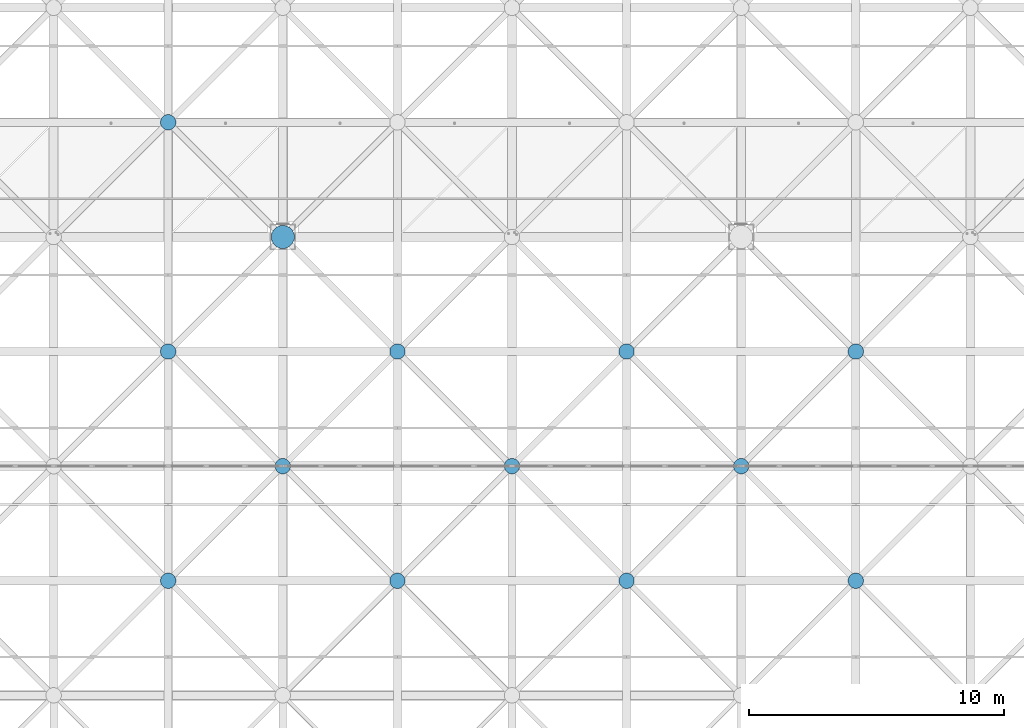
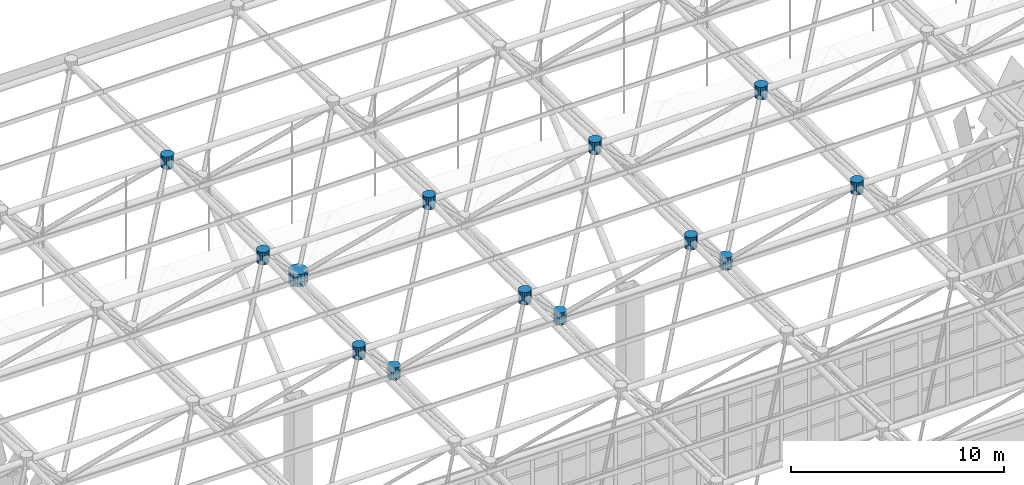
# One storey, part 325 of 437: 13 discrete accessories.
"""IFC4 building model written with IfcOpenShell, lengths in metres."""

import ifcopenshell
import ifcopenshell.guid

model = None  # the IFC model being written
_history = None  # IfcOwnerHistory: only IFC2X3 demands one
_inside = {}  # id of a spatial element -> (the spatial element, [elements in it])
_under = {}  # id of a project, library or spatial element -> (it, [spatial elements below it])
_declared = {}  # id of a project -> (the project, [libraries it declares])
_typed = {}  # id of a type object -> (the type object, [elements of that type])
_made_of = {}  # id of a material, layer set ... -> (it, [elements and type objects made of it])


def new_model(schema):
    """Start an empty IFC model of exactly this schema.

    Asked for "IFC4X3", IfcOpenShell would pick the latest addendum, in which some entities
    have other attributes; the version numbers below select the first issue.
    IFC2X3 requires an IfcOwnerHistory on every rooted entity: one is made here for all.
    """
    global model, _history
    if schema == "IFC4X3":
        model = ifcopenshell.file(schema_version=(4, 3, 0, 0))
    else:
        model = ifcopenshell.file(schema=schema)
    _inside.clear()
    _under.clear()
    _declared.clear()
    _typed.clear()
    _made_of.clear()
    _history = None
    if model.schema == "IFC2X3":
        org = make("IfcOrganization", Name="unknown")
        user = make(
            "IfcPersonAndOrganization",
            ThePerson=make("IfcPerson", FamilyName="unknown"),
            TheOrganization=org,
        )
        app = make(
            "IfcApplication",
            ApplicationDeveloper=org,
            Version="unknown",
            ApplicationFullName="unknown",
            ApplicationIdentifier="unknown",
        )
        _history = make(
            "IfcOwnerHistory",
            OwningUser=user,
            OwningApplication=app,
            ChangeAction="ADDED",
            CreationDate=0,
        )
    return model


def make(cls, **values):
    """One entity of the class cls with the attributes given. An attribute that is None is left unset."""
    return model.create_entity(
        cls, **{name: value for name, value in values.items() if value is not None}
    )


def rooted(cls, **values):
    """An entity with a GlobalId (a new one), such as an element, a storey or a relation."""
    return make(cls, GlobalId=ifcopenshell.guid.new(), OwnerHistory=_history, **values)


def si_unit(unit_type, name, prefix=None):
    """IfcSIUnit, for example si_unit("LENGTHUNIT", "METRE", prefix="MILLI")."""
    return make("IfcSIUnit", UnitType=unit_type, Prefix=prefix, Name=name)


def assignment(units):
    """IfcUnitAssignment: the units of a project."""
    return None if units is None else make("IfcUnitAssignment", Units=units)


def point(xyz):
    """IfcCartesianPoint."""
    return None if xyz is None else make("IfcCartesianPoint", Coordinates=xyz)


def direction(xyz):
    """IfcDirection."""
    return None if xyz is None else make("IfcDirection", DirectionRatios=xyz)


def frame(location, z_axis=None, x_axis=None):
    """IfcAxis2Placement3D, a coordinate frame: its origin and axes. An axis left out is left unset."""
    return make(
        "IfcAxis2Placement3D",
        Location=point(location),
        Axis=direction(z_axis),
        RefDirection=direction(x_axis),
    )


def origin():
    """The frame at (0, 0, 0) with its axes left unset."""
    return frame((0.0, 0.0, 0.0))


def place(relative_to, where):
    """IfcLocalPlacement: puts the frame where relative to a parent placement (None: the world)."""
    return make(
        "IfcLocalPlacement", PlacementRelTo=relative_to, RelativePlacement=where
    )


def context(
    kind, dimensions, precision=None, world=None, true_north=None, identifier=None
):
    """IfcGeometricRepresentationContext, for example the 3D "Model" context."""
    return make(
        "IfcGeometricRepresentationContext",
        ContextIdentifier=identifier,
        ContextType=kind,
        CoordinateSpaceDimension=dimensions,
        Precision=precision,
        WorldCoordinateSystem=world,
        TrueNorth=true_north,
    )


def subcontext(parent, identifier, kind, view, scale=None):
    """IfcGeometricRepresentationSubContext, for example "Body" below "Model"."""
    return make(
        "IfcGeometricRepresentationSubContext",
        ContextIdentifier=identifier,
        ContextType=kind,
        ParentContext=parent,
        TargetScale=scale,
        TargetView=view,
    )


def project(units=None, contexts=None):
    """IfcProject with its units and contexts."""
    return rooted(
        "IfcProject",
        Name="project",
        RepresentationContexts=contexts,
        UnitsInContext=assignment(units),
    )


def spatial(cls, under=None, at=None, **own):
    """A site, building, storey or space (cls), placed at a placement, below another one or the project."""
    s = rooted(cls, ObjectPlacement=at, **own)
    if under is not None:
        _under.setdefault(under.id(), (under, []))[1].append(s)
    return s


def polyline(points):
    """IfcPolyline through the points."""
    return make("IfcPolyline", Points=[point(p) for p in points])


def outline(outer, holes=None, kind="AREA"):
    """IfcArbitraryClosedProfileDef: a profile drawn as a closed curve; with holes, ...WithVoids."""
    if holes is None:
        return make("IfcArbitraryClosedProfileDef", ProfileType=kind, OuterCurve=outer)
    return make(
        "IfcArbitraryProfileDefWithVoids",
        ProfileType=kind,
        OuterCurve=outer,
        InnerCurves=holes,
    )


def extrude(swept, where, along, depth):
    """IfcExtrudedAreaSolid: the profile swept, set in the frame where, extruded along a direction by depth."""
    return make(
        "IfcExtrudedAreaSolid",
        SweptArea=swept,
        Position=where,
        ExtrudedDirection=direction(along),
        Depth=depth,
    )


def shape(context_of_items, identifier, shape_type, items):
    """IfcShapeRepresentation: the items that make up one representation, for example the "Body"."""
    return make(
        "IfcShapeRepresentation",
        ContextOfItems=context_of_items,
        RepresentationIdentifier=identifier,
        RepresentationType=shape_type,
        Items=items,
    )


def material(Name=None, Category=None):
    """IfcMaterial."""
    return make("IfcMaterial", Name=Name, Category=Category)


def made_of(thing, what):
    """Note that an element or type object is made of a material, layer set ...; save() writes the relation."""
    if what is not None:
        _made_of.setdefault(what.id(), (what, []))[1].append(thing)
    return thing


def type_object(cls, material=None, **own):
    """A type object (cls), such as IfcWallType, which elements share."""
    return made_of(rooted(cls, **own), material)


def element(
    cls,
    number,
    at=None,
    inside=None,
    cuts=None,
    type_object=None,
    material=None,
    context=None,
    identifier="Body",
    shape_type=None,
    held_by="IfcProductDefinitionShape",
    body=None,
    shapes=None,
    **own,
):
    """One element of the class cls, such as IfcWall. Its Tag is "e" and its number.

    at: its placement. inside: the storey or other place that contains it. cuts: it is an
    opening in that element (IfcRelVoidsElement). A single representation is given by context,
    identifier, shape_type and body (its items); several are given by shapes. held_by: the class
    of the entity that holds the representations. save() writes the other relations.
    """
    e = rooted(cls, Tag="e%d" % number, ObjectPlacement=at, **own)
    if body is not None:
        shapes = [shape(context, identifier, shape_type, body)]
    if shapes is not None:
        e.Representation = make(held_by, Representations=shapes)
    if inside is not None:
        _inside.setdefault(inside.id(), (inside, []))[1].append(e)
    if cuts is not None:
        rooted(
            "IfcRelVoidsElement", RelatingBuildingElement=cuts, RelatedOpeningElement=e
        )
    if type_object is not None:
        _typed.setdefault(type_object.id(), (type_object, []))[1].append(e)
    return made_of(e, material)


def aggregate(whole, parts):
    """IfcRelAggregates: a whole, such as a stair, and the parts it consists of."""
    return rooted("IfcRelAggregates", RelatingObject=whole, RelatedObjects=parts)


def save(model, path):
    """Write the relations noted so far, then the file.

    IfcRelAggregates (storeys below a building ...), IfcRelContainedInSpatialStructure (elements
    in a storey), IfcRelDefinesByType, IfcRelAssociatesMaterial and IfcRelDeclares: one each for
    every whole, place, type object, material and project.
    """
    for whole, parts in _under.values():
        aggregate(whole, parts)
    for where, things in _inside.values():
        rooted(
            "IfcRelContainedInSpatialStructure",
            RelatedElements=things,
            RelatingStructure=where,
        )
    for kind, things in _typed.values():
        rooted("IfcRelDefinesByType", RelatedObjects=things, RelatingType=kind)
    for what, things in _made_of.values():
        rooted("IfcRelAssociatesMaterial", RelatedObjects=things, RelatingMaterial=what)
    for by, libraries in _declared.values():
        rooted("IfcRelDeclares", RelatingContext=by, RelatedDefinitions=libraries)
    model.write(path)


model = new_model("IFC4")

# Units and contexts
model_context = context("Model", 3, precision=1e-05, world=origin(), true_north=direction((0.0, 1.0)))
body_context = subcontext(model_context, "Body", "Model", "MODEL_VIEW")
ifc_project = project(units=[si_unit("LENGTHUNIT", "METRE"), si_unit("AREAUNIT", "SQUARE_METRE"), si_unit("VOLUMEUNIT", "CUBIC_METRE"), si_unit("PLANEANGLEUNIT", "RADIAN"), si_unit("MASSUNIT", "GRAM", prefix="KILO")], contexts=[model_context])

# Site, building, storey
site_placement = place(None, origin())
site = spatial("IfcSite", under=ifc_project, at=site_placement, CompositionType="ELEMENT")
building_placement = place(site_placement, origin())
building = spatial("IfcBuilding", under=site, at=building_placement, Name="Opaline Strait Convention Centre", CompositionType="ELEMENT")
storey_placement = place(building_placement, frame((0.0, 0.0, 11.5)))
storey = spatial("IfcBuildingStorey", under=building, at=storey_placement, Name="L02", CompositionType="ELEMENT", Elevation=11.5)

# Discrete accessories
ifc_material = material(Name="Cast steel ZG300-500H (300 MPa)", Category="steel")
discrete_accessory_type_1 = type_object("IfcDiscreteAccessoryType", Name="Space frame bearing node hub D900", PredefinedType="USERDEFINED", material=ifc_material)
discrete_accessory_1_placement = place(storey_placement, frame((0.0, 0.0, 12.139892578125)))
element("IfcDiscreteAccessory", 1, at=discrete_accessory_1_placement, inside=storey, type_object=discrete_accessory_type_1, Name="Bottom node 10/13", ObjectType="NODE HUB", PredefinedType="USERDEFINED", context=body_context, shape_type="SweptSolid", body=[
    extrude(outline(polyline([(171.449951171875, 153.089599609375), (171.381591796875, 153.2548828125), (171.2548828125, 153.381591796875), (171.089599609375, 153.449951171875), (170.910400390625, 153.449951171875), (170.7451171875, 153.381591796875), (170.618408203125, 153.2548828125), (170.550048828125, 153.089599609375), (170.550048828125, 152.910400390625), (170.618408203125, 152.7451171875), (170.7451171875, 152.618408203125), (170.910400390625, 152.550048828125), (171.089599609375, 152.550048828125), (171.2548828125, 152.618408203125), (171.381591796875, 152.7451171875), (171.449951171875, 152.910400390625), (171.449951171875, 153.089599609375)])), origin(), (0.0, 0.0, 1.0), 0.72021484375),
])
discrete_accessory_type_2 = type_object("IfcDiscreteAccessoryType", Name="Space frame node hub D600", PredefinedType="USERDEFINED", material=ifc_material)
discrete_accessory_2_placement = place(storey_placement, frame((0.0, 0.0, 17.611572265625)))
element("IfcDiscreteAccessory", 2, at=discrete_accessory_2_placement, inside=storey, type_object=discrete_accessory_type_2, Name="Top node 10/12", ObjectType="NODE HUB", PredefinedType="USERDEFINED", context=body_context, shape_type="SweptSolid", body=[
    extrude(outline(polyline([(166.800048828125, 139.559814453125), (166.75439453125, 139.669921875), (166.669921875, 139.75439453125), (166.559814453125, 139.800048828125), (166.440185546875, 139.800048828125), (166.330078125, 139.75439453125), (166.24560546875, 139.669921875), (166.199951171875, 139.559814453125), (166.199951171875, 139.440185546875), (166.24560546875, 139.330078125), (166.330078125, 139.24560546875), (166.440185546875, 139.199951171875), (166.559814453125, 139.199951171875), (166.669921875, 139.24560546875), (166.75439453125, 139.330078125), (166.800048828125, 139.440185546875), (166.800048828125, 139.559814453125)])), origin(), (0.0, 0.0, 1.0), 0.719970703125),
])
discrete_accessory_3_placement = place(storey_placement, frame((0.0, 0.0, 17.611572265625)))
element("IfcDiscreteAccessory", 3, at=discrete_accessory_3_placement, inside=storey, type_object=discrete_accessory_type_2, Name="Top node 10/13", ObjectType="NODE HUB", PredefinedType="USERDEFINED", context=body_context, shape_type="SweptSolid", body=[
    extrude(outline(polyline([(166.800048828125, 148.559814453125), (166.75439453125, 148.669921875), (166.669921875, 148.75439453125), (166.559814453125, 148.800048828125), (166.440185546875, 148.800048828125), (166.330078125, 148.75439453125), (166.24560546875, 148.669921875), (166.199951171875, 148.559814453125), (166.199951171875, 148.440185546875), (166.24560546875, 148.330078125), (166.330078125, 148.24560546875), (166.440185546875, 148.199951171875), (166.559814453125, 148.199951171875), (166.669921875, 148.24560546875), (166.75439453125, 148.330078125), (166.800048828125, 148.440185546875), (166.800048828125, 148.559814453125)])), origin(), (0.0, 0.0, 1.0), 0.719970703125),
])
discrete_accessory_4_placement = place(storey_placement, frame((0.0, 0.0, 17.611572265625)))
element("IfcDiscreteAccessory", 4, at=discrete_accessory_4_placement, inside=storey, type_object=discrete_accessory_type_2, Name="Top node 10/14", ObjectType="NODE HUB", PredefinedType="USERDEFINED", context=body_context, shape_type="SweptSolid", body=[
    extrude(outline(polyline([(166.800048828125, 157.559814453125), (166.75439453125, 157.669921875), (166.669921875, 157.75439453125), (166.559814453125, 157.800048828125), (166.440185546875, 157.800048828125), (166.330078125, 157.75439453125), (166.24560546875, 157.669921875), (166.199951171875, 157.559814453125), (166.199951171875, 157.440185546875), (166.24560546875, 157.330078125), (166.330078125, 157.24560546875), (166.440185546875, 157.199951171875), (166.559814453125, 157.199951171875), (166.669921875, 157.24560546875), (166.75439453125, 157.330078125), (166.800048828125, 157.440185546875), (166.800048828125, 157.559814453125)])), origin(), (0.0, 0.0, 1.0), 0.719970703125),
])
discrete_accessory_5_placement = place(storey_placement, frame((0.0, 0.0, 17.611572265625)))
element("IfcDiscreteAccessory", 5, at=discrete_accessory_5_placement, inside=storey, type_object=discrete_accessory_type_2, Name="Top node 11/12", ObjectType="NODE HUB", PredefinedType="USERDEFINED", context=body_context, shape_type="SweptSolid", body=[
    extrude(outline(polyline([(175.800048828125, 139.559814453125), (175.75439453125, 139.669921875), (175.669921875, 139.75439453125), (175.559814453125, 139.800048828125), (175.440185546875, 139.800048828125), (175.330078125, 139.75439453125), (175.24560546875, 139.669921875), (175.199951171875, 139.559814453125), (175.199951171875, 139.440185546875), (175.24560546875, 139.330078125), (175.330078125, 139.24560546875), (175.440185546875, 139.199951171875), (175.559814453125, 139.199951171875), (175.669921875, 139.24560546875), (175.75439453125, 139.330078125), (175.800048828125, 139.440185546875), (175.800048828125, 139.559814453125)])), origin(), (0.0, 0.0, 1.0), 0.719970703125),
])
discrete_accessory_6_placement = place(storey_placement, frame((0.0, 0.0, 17.611572265625)))
element("IfcDiscreteAccessory", 6, at=discrete_accessory_6_placement, inside=storey, type_object=discrete_accessory_type_2, Name="Top node 11/13", ObjectType="NODE HUB", PredefinedType="USERDEFINED", context=body_context, shape_type="SweptSolid", body=[
    extrude(outline(polyline([(175.800048828125, 148.559814453125), (175.75439453125, 148.669921875), (175.669921875, 148.75439453125), (175.559814453125, 148.800048828125), (175.440185546875, 148.800048828125), (175.330078125, 148.75439453125), (175.24560546875, 148.669921875), (175.199951171875, 148.559814453125), (175.199951171875, 148.440185546875), (175.24560546875, 148.330078125), (175.330078125, 148.24560546875), (175.440185546875, 148.199951171875), (175.559814453125, 148.199951171875), (175.669921875, 148.24560546875), (175.75439453125, 148.330078125), (175.800048828125, 148.440185546875), (175.800048828125, 148.559814453125)])), origin(), (0.0, 0.0, 1.0), 0.719970703125),
])
discrete_accessory_7_placement = place(storey_placement, frame((0.0, 0.0, 17.611572265625)))
element("IfcDiscreteAccessory", 7, at=discrete_accessory_7_placement, inside=storey, type_object=discrete_accessory_type_2, Name="Top node 12/12", ObjectType="NODE HUB", PredefinedType="USERDEFINED", context=body_context, shape_type="SweptSolid", body=[
    extrude(outline(polyline([(184.800048828125, 139.559814453125), (184.75439453125, 139.669921875), (184.669921875, 139.75439453125), (184.559814453125, 139.800048828125), (184.440185546875, 139.800048828125), (184.330078125, 139.75439453125), (184.24560546875, 139.669921875), (184.199951171875, 139.559814453125), (184.199951171875, 139.440185546875), (184.24560546875, 139.330078125), (184.330078125, 139.24560546875), (184.440185546875, 139.199951171875), (184.559814453125, 139.199951171875), (184.669921875, 139.24560546875), (184.75439453125, 139.330078125), (184.800048828125, 139.440185546875), (184.800048828125, 139.559814453125)])), origin(), (0.0, 0.0, 1.0), 0.719970703125),
])
discrete_accessory_8_placement = place(storey_placement, frame((0.0, 0.0, 17.611572265625)))
element("IfcDiscreteAccessory", 8, at=discrete_accessory_8_placement, inside=storey, type_object=discrete_accessory_type_2, Name="Top node 12/13", ObjectType="NODE HUB", PredefinedType="USERDEFINED", context=body_context, shape_type="SweptSolid", body=[
    extrude(outline(polyline([(184.800048828125, 148.559814453125), (184.75439453125, 148.669921875), (184.669921875, 148.75439453125), (184.559814453125, 148.800048828125), (184.440185546875, 148.800048828125), (184.330078125, 148.75439453125), (184.24560546875, 148.669921875), (184.199951171875, 148.559814453125), (184.199951171875, 148.440185546875), (184.24560546875, 148.330078125), (184.330078125, 148.24560546875), (184.440185546875, 148.199951171875), (184.559814453125, 148.199951171875), (184.669921875, 148.24560546875), (184.75439453125, 148.330078125), (184.800048828125, 148.440185546875), (184.800048828125, 148.559814453125)])), origin(), (0.0, 0.0, 1.0), 0.719970703125),
])
discrete_accessory_9_placement = place(storey_placement, frame((0.0, 0.0, 17.611572265625)))
element("IfcDiscreteAccessory", 9, at=discrete_accessory_9_placement, inside=storey, type_object=discrete_accessory_type_2, Name="Top node 13/12", ObjectType="NODE HUB", PredefinedType="USERDEFINED", context=body_context, shape_type="SweptSolid", body=[
    extrude(outline(polyline([(193.800048828125, 139.559814453125), (193.75439453125, 139.669921875), (193.669921875, 139.75439453125), (193.559814453125, 139.800048828125), (193.440185546875, 139.800048828125), (193.330078125, 139.75439453125), (193.24560546875, 139.669921875), (193.199951171875, 139.559814453125), (193.199951171875, 139.440185546875), (193.24560546875, 139.330078125), (193.330078125, 139.24560546875), (193.440185546875, 139.199951171875), (193.559814453125, 139.199951171875), (193.669921875, 139.24560546875), (193.75439453125, 139.330078125), (193.800048828125, 139.440185546875), (193.800048828125, 139.559814453125)])), origin(), (0.0, 0.0, 1.0), 0.719970703125),
])
discrete_accessory_10_placement = place(storey_placement, frame((0.0, 0.0, 17.611572265625)))
element("IfcDiscreteAccessory", 10, at=discrete_accessory_10_placement, inside=storey, type_object=discrete_accessory_type_2, Name="Top node 13/13", ObjectType="NODE HUB", PredefinedType="USERDEFINED", context=body_context, shape_type="SweptSolid", body=[
    extrude(outline(polyline([(193.800048828125, 148.559814453125), (193.75439453125, 148.669921875), (193.669921875, 148.75439453125), (193.559814453125, 148.800048828125), (193.440185546875, 148.800048828125), (193.330078125, 148.75439453125), (193.24560546875, 148.669921875), (193.199951171875, 148.559814453125), (193.199951171875, 148.440185546875), (193.24560546875, 148.330078125), (193.330078125, 148.24560546875), (193.440185546875, 148.199951171875), (193.559814453125, 148.199951171875), (193.669921875, 148.24560546875), (193.75439453125, 148.330078125), (193.800048828125, 148.440185546875), (193.800048828125, 148.559814453125)])), origin(), (0.0, 0.0, 1.0), 0.719970703125),
])
discrete_accessory_11_placement = place(storey_placement, frame((0.0, 0.0, 12.139892578125)))
element("IfcDiscreteAccessory", 11, at=discrete_accessory_11_placement, inside=storey, type_object=discrete_accessory_type_2, Name="Bottom node 10/12", ObjectType="NODE HUB", PredefinedType="USERDEFINED", context=body_context, shape_type="SweptSolid", body=[
    extrude(outline(polyline([(171.300048828125, 144.059814453125), (171.25439453125, 144.169921875), (171.169921875, 144.25439453125), (171.059814453125, 144.300048828125), (170.940185546875, 144.300048828125), (170.830078125, 144.25439453125), (170.74560546875, 144.169921875), (170.699951171875, 144.059814453125), (170.699951171875, 143.940185546875), (170.74560546875, 143.830078125), (170.830078125, 143.74560546875), (170.940185546875, 143.699951171875), (171.059814453125, 143.699951171875), (171.169921875, 143.74560546875), (171.25439453125, 143.830078125), (171.300048828125, 143.940185546875), (171.300048828125, 144.059814453125)])), origin(), (0.0, 0.0, 1.0), 0.72021484375),
])
discrete_accessory_12_placement = place(storey_placement, frame((0.0, 0.0, 12.139892578125)))
element("IfcDiscreteAccessory", 12, at=discrete_accessory_12_placement, inside=storey, type_object=discrete_accessory_type_2, Name="Bottom node 11/12", ObjectType="NODE HUB", PredefinedType="USERDEFINED", context=body_context, shape_type="SweptSolid", body=[
    extrude(outline(polyline([(180.300048828125, 144.059814453125), (180.25439453125, 144.169921875), (180.169921875, 144.25439453125), (180.059814453125, 144.300048828125), (179.940185546875, 144.300048828125), (179.830078125, 144.25439453125), (179.74560546875, 144.169921875), (179.699951171875, 144.059814453125), (179.699951171875, 143.940185546875), (179.74560546875, 143.830078125), (179.830078125, 143.74560546875), (179.940185546875, 143.699951171875), (180.059814453125, 143.699951171875), (180.169921875, 143.74560546875), (180.25439453125, 143.830078125), (180.300048828125, 143.940185546875), (180.300048828125, 144.059814453125)])), origin(), (0.0, 0.0, 1.0), 0.72021484375),
])
discrete_accessory_13_placement = place(storey_placement, frame((0.0, 0.0, 12.139892578125)))
element("IfcDiscreteAccessory", 13, at=discrete_accessory_13_placement, inside=storey, type_object=discrete_accessory_type_2, Name="Bottom node 12/12", ObjectType="NODE HUB", PredefinedType="USERDEFINED", context=body_context, shape_type="SweptSolid", body=[
    extrude(outline(polyline([(189.300048828125, 144.059814453125), (189.25439453125, 144.169921875), (189.169921875, 144.25439453125), (189.059814453125, 144.300048828125), (188.940185546875, 144.300048828125), (188.830078125, 144.25439453125), (188.74560546875, 144.169921875), (188.699951171875, 144.059814453125), (188.699951171875, 143.940185546875), (188.74560546875, 143.830078125), (188.830078125, 143.74560546875), (188.940185546875, 143.699951171875), (189.059814453125, 143.699951171875), (189.169921875, 143.74560546875), (189.25439453125, 143.830078125), (189.300048828125, 143.940185546875), (189.300048828125, 144.059814453125)])), origin(), (0.0, 0.0, 1.0), 0.72021484375),
])

save(model, "model.ifc")
